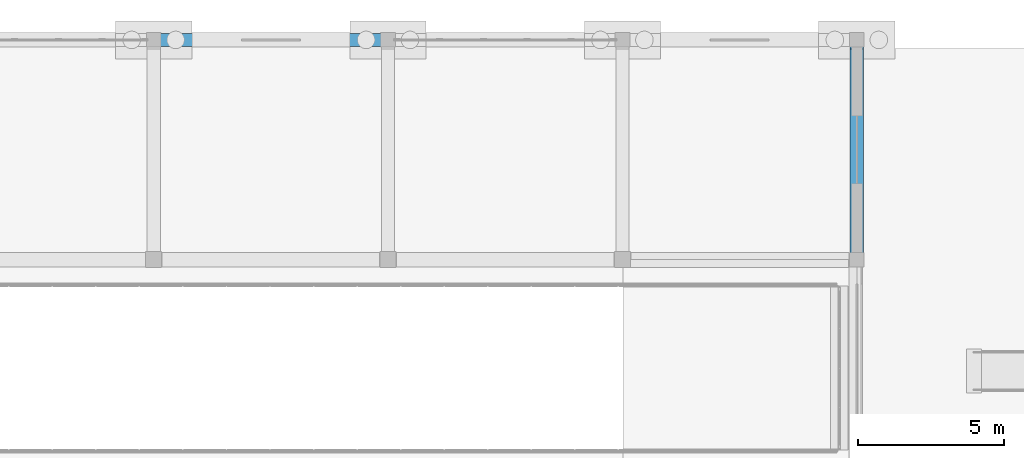
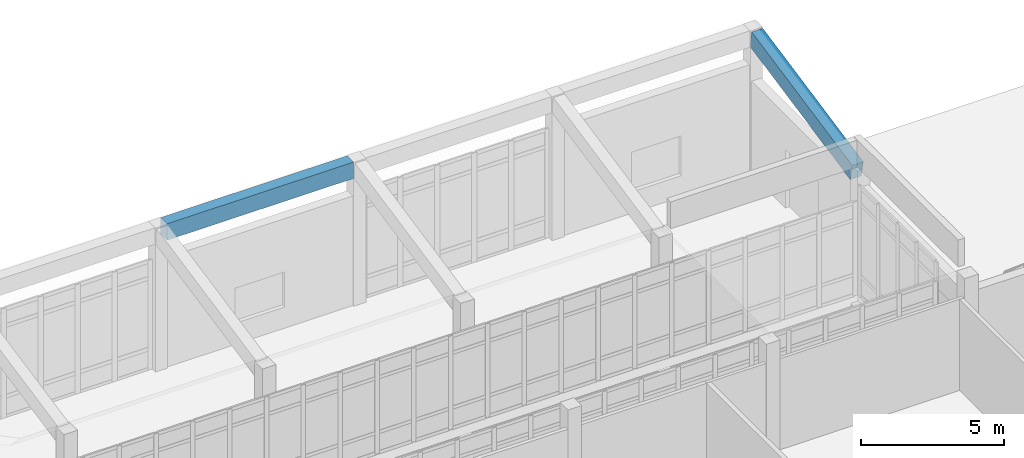
# One storey, part 120 of 173: 2 beams.
"""IFC4 building model written with IfcOpenShell, lengths in metres."""

from ifc_helpers import new_model, si_unit, direction, frame, origin, origin_2d, place, context, subcontext, project, spatial, rectangle, extrude, material, material_profile, profile_set, type_object, element, save


model = new_model("IFC4")

# Units and contexts
model_context = context("Model", 3, precision=1e-05, world=origin(), true_north=direction((0.0, 1.0)))
body_context = subcontext(model_context, "Body", "Model", "MODEL_VIEW")
ifc_project = project(units=[si_unit("LENGTHUNIT", "METRE"), si_unit("AREAUNIT", "SQUARE_METRE"), si_unit("VOLUMEUNIT", "CUBIC_METRE"), si_unit("PLANEANGLEUNIT", "RADIAN"), si_unit("MASSUNIT", "GRAM", prefix="KILO")], contexts=[model_context])

# Site, building, storey
site_placement = place(None, origin())
site = spatial("IfcSite", under=ifc_project, at=site_placement, CompositionType="ELEMENT")
building_placement = place(site_placement, origin())
building = spatial("IfcBuilding", under=site, at=building_placement, Name="Mawjan Specialist Oncology Clinic", CompositionType="ELEMENT")
storey_placement = place(building_placement, origin())
storey = spatial("IfcBuildingStorey", under=building, at=storey_placement, Name="L00", CompositionType="ELEMENT", Elevation=0.0)

# Beams
ifc_material = material(Name="Concrete C40/50", Category="concrete")
ifc_material_profile = material_profile(ifc_material, rectangle(XDim=0.449951171875, YDim=0.699951171875, at=origin_2d()), Name="RC BM 450x700", Category="concrete")
ifc_profile_set = profile_set([ifc_material_profile], Name="Concrete C40/50")
beam_type = type_object("IfcBeamType", Name="BM-450x700", PredefinedType="BEAM", material=ifc_profile_set)
beam_1_placement = place(storey_placement, frame((124.235107421875, 113.300048828125, 5.7861328125), z_axis=(1.0, 0.0, 0.0), x_axis=(0.0, 1.0, 0.0)))
element("IfcBeam", 1, at=beam_1_placement, inside=storey, type_object=beam_type, Name="L00 Roof Framing Beam BM-RF-L00-1259", PredefinedType="BEAM", context=body_context, shape_type="SweptSolid", body=[
    extrude(rectangle(XDim=0.449951171875, YDim=0.699951171875, at=origin_2d()), origin(), (0.0, 0.0, 1.0), 7.52978515625),
])
beam_2_placement = place(storey_placement, frame((148.0, 106.034912109375, 4.35009765625), z_axis=(0.0, 0.979767581617, 0.200138666959), x_axis=(-1.0, 0.0, 0.0)))
element("IfcBeam", 2, at=beam_2_placement, inside=storey, type_object=beam_type, Name="L00 Roof Framing Beam BM-RF-L00-1280", PredefinedType="BEAM", context=body_context, shape_type="SweptSolid", body=[
    extrude(rectangle(XDim=0.449951171875, YDim=0.699951171875, at=origin_2d()), origin(), (0.0, 0.0, 1.0), 7.17529296875),
])

save(model, "model.ifc")
